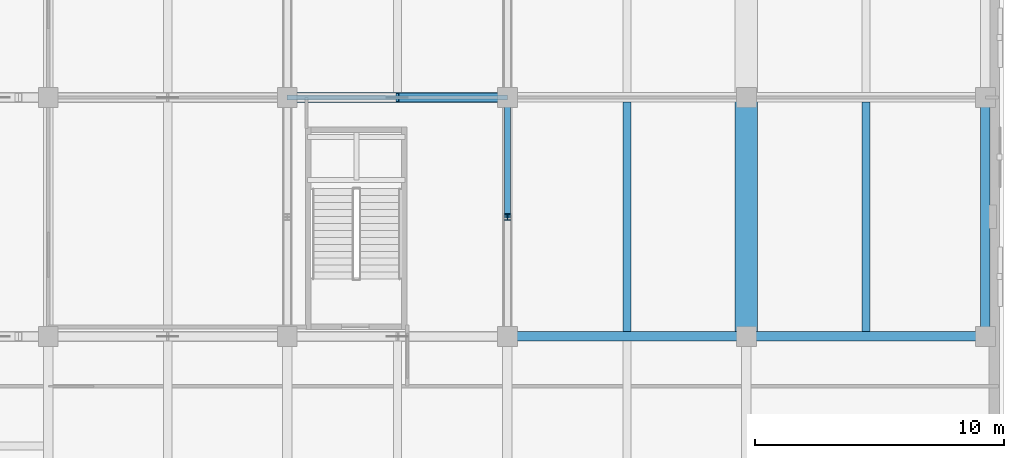
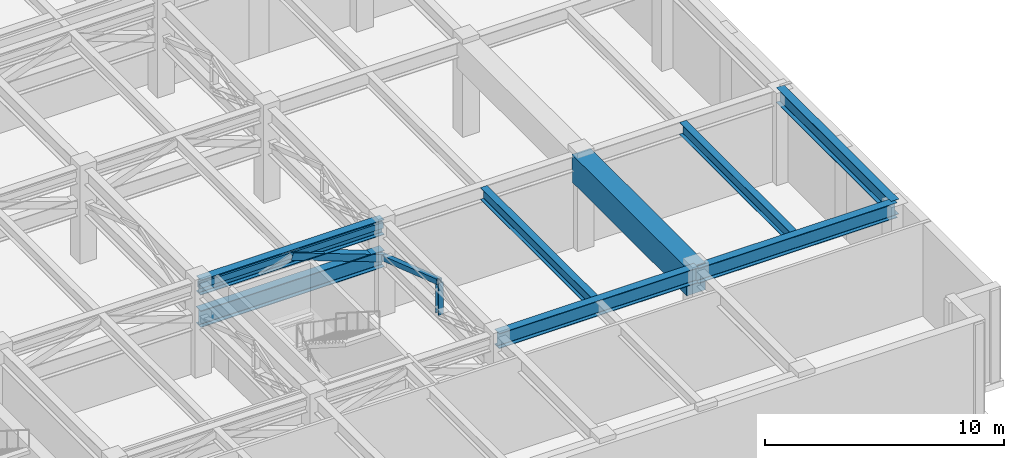
# One storey, part 4 of 19: 8 beams, 4 members.
"""IFC4 building model written with IfcOpenShell, lengths in metres."""

from ifc_helpers import new_model, si_unit, direction, frame, origin, origin_2d, place, context, subcontext, project, spatial, rectangle, hollow_rectangle, i_section, extrude, material, material_profile, profile_set, type_object, element, save


model = new_model("IFC4")

# Units and contexts
model_context = context("Model", 3, precision=1e-05, world=origin(), true_north=direction((0.0, 1.0)))
body_context = subcontext(model_context, "Body", "Model", "MODEL_VIEW")
ifc_project = project(units=[si_unit("LENGTHUNIT", "METRE"), si_unit("AREAUNIT", "SQUARE_METRE"), si_unit("VOLUMEUNIT", "CUBIC_METRE"), si_unit("PLANEANGLEUNIT", "RADIAN"), si_unit("MASSUNIT", "GRAM", prefix="KILO")], contexts=[model_context])

# Site, building, storey
site_placement = place(None, origin())
site = spatial("IfcSite", under=ifc_project, at=site_placement, CompositionType="ELEMENT")
building_placement = place(site_placement, origin())
building = spatial("IfcBuilding", under=site, at=building_placement, Name="Norrvale University Quadrangle", CompositionType="ELEMENT")
storey_placement = place(building_placement, frame((0.0, 0.0, 256.0)))
storey = spatial("IfcBuildingStorey", under=building, at=storey_placement, Name="L65", CompositionType="ELEMENT", Elevation=256.0)

# Beams
ifc_material_1 = material(Name="Steel 350W", Category="steel")
ifc_material_profile_1 = material_profile(ifc_material_1, i_section(OverallWidth=0.324951171875, OverallDepth=0.615966796875, WebThickness=0.013916015625, FlangeThickness=0.021484375, FilletRadius=0.01611328125, at=origin_2d()), Name="Steel 350W")
ifc_profile_set_1 = profile_set([ifc_material_profile_1], Name="Steel 350W")
beam_type_1 = type_object("IfcBeamType", Name="Beam Belt W610x174", PredefinedType="BEAM", material=ifc_profile_set_1)
for number, where, z_axis, x_axis, name in (
    (1, (42.449951171875, 9.79052734375, 4.431884765625), (0.0, 1.0, 0.0), (-1.0, 0.0, 0.0), "Beam Belt W610x174 BM-L65-J068"),
    (2, (52.050048828125, 9.79052734375, 4.39208984375), (0.0, 1.0, 0.0), (-1.0, 0.0, 0.0), "Beam Belt W610x174 BM-L65-J071"),
):
    element("IfcBeam", number, at=place(storey_placement, frame(where, z_axis=z_axis, x_axis=x_axis)), inside=storey, type_object=beam_type_1, Name=name, PredefinedType="BEAM", context=body_context, shape_type="SweptSolid", body=[
        extrude(i_section(OverallWidth=0.324951171875, OverallDepth=0.615966796875, WebThickness=0.013916015625, FlangeThickness=0.021484375, FilletRadius=0.01611328125, at=origin_2d()), origin(), (0.0, 0.0, 1.0), 9.218994140625),
    ])
ifc_material_profile_2 = material_profile(ifc_material_1, i_section(OverallWidth=0.381103515625, OverallDepth=0.77294921875, WebThickness=0.0166015625, FlangeThickness=0.027587890625, FilletRadius=0.02001953125, at=origin_2d()), Name="Steel 350W")
ifc_profile_set_2 = profile_set([ifc_material_profile_2], Name="Steel 350W")
beam_type_2 = type_object("IfcBeamType", Name="Beam Outrig W760x257", PredefinedType="BEAM", material=ifc_profile_set_2)
for number, where, z_axis, x_axis, name in (
    (3, (37.64990234375, 9.60009765625, 4.353515625), (1.0, 0.0, 0.0), (0.0, 1.0, 0.0), "Beam Outrig W760x257 BM-L65-GX007"),
    (4, (47.25, 9.60009765625, 4.3134765625), (1.0, 0.0, 0.0), (0.0, 1.0, 0.0), "Beam Outrig W760x257 BM-L65-GX008"),
):
    element("IfcBeam", number, at=place(storey_placement, frame(where, z_axis=z_axis, x_axis=x_axis)), inside=storey, type_object=beam_type_2, Name=name, PredefinedType="BEAM", context=body_context, shape_type="SweptSolid", body=[
        extrude(i_section(OverallWidth=0.381103515625, OverallDepth=0.77294921875, WebThickness=0.0166015625, FlangeThickness=0.027587890625, FilletRadius=0.02001953125, at=origin_2d()), origin(), (0.0, 0.0, 1.0), 9.60009765625),
    ])
beam_1_placement = place(storey_placement, frame((28.800048828125, 19.199951171875, 4.353515625), z_axis=(1.0, 0.0, 0.0), x_axis=(0.0, 1.0, 0.0)))
element("IfcBeam", 5, at=beam_1_placement, inside=storey, type_object=beam_type_2, Name="Beam Outrig W760x257 BM-L65-GX010", PredefinedType="BEAM", context=body_context, shape_type="SweptSolid", body=[
    extrude(i_section(OverallWidth=0.381103515625, OverallDepth=0.77294921875, WebThickness=0.0166015625, FlangeThickness=0.027587890625, FilletRadius=0.02001953125, at=origin_2d()), origin(), (0.0, 0.0, 1.0), 8.849853515625),
])
beam_2_placement = place(storey_placement, frame((56.85009765625, 9.60009765625, 4.3134765625), z_axis=(0.0, 1.0, 0.0), x_axis=(-1.0, 0.0, 0.0)))
element("IfcBeam", 6, at=beam_2_placement, inside=storey, type_object=beam_type_2, Name="Beam Outrig W760x257 BM-L65-GY045", PredefinedType="BEAM", context=body_context, shape_type="SweptSolid", body=[
    extrude(i_section(OverallWidth=0.381103515625, OverallDepth=0.77294921875, WebThickness=0.0166015625, FlangeThickness=0.027587890625, FilletRadius=0.02001953125, at=origin_2d()), origin(), (0.0, 0.0, 1.0), 9.599853515625),
])
ifc_material_profile_3 = material_profile(ifc_material_1, i_section(OverallWidth=0.39990234375, OverallDepth=0.85498046875, WebThickness=0.018310546875, FlangeThickness=0.029296875, FilletRadius=0.02197265625, at=origin_2d()), Name="Steel 350W")
ifc_profile_set_3 = profile_set([ifc_material_profile_3], Name="Steel 350W")
beam_type_3 = type_object("IfcBeamType", Name="Beam Outrig W840x299", PredefinedType="BEAM", material=ifc_profile_set_3)
beam_3_placement = place(storey_placement, frame((28.800048828125, 19.199951171875, 2.75), z_axis=(1.0, 0.0, 0.0), x_axis=(0.0, 1.0, 0.0)))
element("IfcBeam", 7, at=beam_3_placement, inside=storey, type_object=beam_type_3, Name="Outrigger Bottom Chord L65-2.3", PredefinedType="BEAM", context=body_context, shape_type="SweptSolid", body=[
    extrude(i_section(OverallWidth=0.39990234375, OverallDepth=0.85498046875, WebThickness=0.018310546875, FlangeThickness=0.029296875, FilletRadius=0.02197265625, at=origin_2d()), origin(), (0.0, 0.0, 1.0), 8.849853515625),
])
ifc_material_2 = material(Name="Concrete C60/75", Category="concrete")
ifc_material_profile_4 = material_profile(ifc_material_2, rectangle(XDim=0.89990234375, YDim=1.39990234375, at=origin_2d()), Name="Concrete C60/75")
ifc_profile_set_4 = profile_set([ifc_material_profile_4], Name="Concrete C60/75")
beam_type_4 = type_object("IfcBeamType", Name="Beam Transfer 900x1400", PredefinedType="USERDEFINED", material=ifc_profile_set_4)
beam_4_placement = place(storey_placement, frame((47.25, 9.60009765625, 4.0400390625), z_axis=(0.0, 1.0, 0.0), x_axis=(-1.0, 0.0, 0.0)))
element("IfcBeam", 8, at=beam_4_placement, inside=storey, type_object=beam_type_4, Name="Setback Transfer Girder L65-23", ObjectType="TRANSFER GIRDER", PredefinedType="USERDEFINED", context=body_context, shape_type="SweptSolid", body=[
    extrude(rectangle(XDim=0.89990234375, YDim=1.39990234375, at=origin_2d()), origin(), (0.0, 0.0, 1.0), 9.599853515625),
])

# Members
ifc_material_profile_5 = material_profile(ifc_material_1, hollow_rectangle(XDim=0.25390625, YDim=0.25390625, WallThickness=0.012939453125, at=origin_2d()), Name="Steel 350W")
ifc_profile_set_5 = profile_set([ifc_material_profile_5], Name="Steel 350W")
member_type_1 = type_object("IfcMemberType", Name="Member Belt Diag HSS254", PredefinedType="BRACE", material=ifc_profile_set_5)
member_1_placement = place(storey_placement, frame((37.64990234375, 19.199951171875, 2.75), z_axis=(0.0, -0.946298508087, 0.32329419047), x_axis=(1.0, 0.0, 0.0)))
element("IfcMember", 9, at=member_1_placement, inside=storey, type_object=member_type_1, Name="Belt Truss Brace L65-01B", PredefinedType="BRACE", context=body_context, shape_type="SweptSolid", body=[
    extrude(hollow_rectangle(XDim=0.25390625, YDim=0.25390625, WallThickness=0.012939453125, at=origin_2d()), origin(), (0.0, 0.0, 1.0), 5.072509765625),
])
ifc_material_profile_6 = material_profile(ifc_material_1, hollow_rectangle(XDim=0.202880859375, YDim=0.304931640625, WallThickness=0.012939453125, at=origin_2d()), Name="Steel 350W")
ifc_profile_set_6 = profile_set([ifc_material_profile_6], Name="Steel 350W")
member_type_2 = type_object("IfcMemberType", Name="Member Chord HSS305x203", PredefinedType="CHORD", material=ifc_profile_set_6)
member_2_placement = place(storey_placement, frame((28.800048828125, 19.199951171875, 4.389892578125), z_axis=(1.0, 0.0, 0.0), x_axis=(0.0, 1.0, 0.0)))
element("IfcMember", 10, at=member_2_placement, inside=storey, type_object=member_type_2, Name="Outrigger Top Chord L65-2.3", PredefinedType="CHORD", context=body_context, shape_type="SweptSolid", body=[
    extrude(hollow_rectangle(XDim=0.202880859375, YDim=0.304931640625, WallThickness=0.012939453125, at=origin_2d()), origin(), (0.0, 0.0, 1.0), 8.849853515625),
])
ifc_material_profile_7 = material_profile(ifc_material_1, hollow_rectangle(XDim=0.35595703125, YDim=0.35595703125, WallThickness=0.01611328125, at=origin_2d()), Name="Steel 350W")
ifc_profile_set_7 = profile_set([ifc_material_profile_7], Name="Steel 350W")
member_type_3 = type_object("IfcMemberType", Name="Member Outrig Diag HSS356", PredefinedType="BRACE", material=ifc_profile_set_7)
member_3_placement = place(storey_placement, frame((37.64990234375, 19.199951171875, 2.75), z_axis=(-0.937674473211, 0.0, 0.347514866285), x_axis=(0.0, -1.0, 0.0)))
element("IfcMember", 11, at=member_3_placement, inside=storey, type_object=member_type_3, Name="Outrigger Truss Diagonal L65-2.3B", PredefinedType="BRACE", context=body_context, shape_type="SweptSolid", body=[
    extrude(hollow_rectangle(XDim=0.35595703125, YDim=0.35595703125, WallThickness=0.01611328125, at=origin_2d()), origin(), (0.0, 0.0, 1.0), 4.718994140625),
])
ifc_material_profile_8 = material_profile(ifc_material_1, i_section(OverallWidth=0.25390625, OverallDepth=0.2529296875, WebThickness=0.008544921875, FlangeThickness=0.01416015625, FilletRadius=0.011962890625, at=origin_2d()), Name="Steel 350W")
ifc_profile_set_8 = profile_set([ifc_material_profile_8], Name="Steel 350W")
member_type_4 = type_object("IfcMemberType", Name="Member Post W250x73", PredefinedType="POST", material=ifc_profile_set_8)
member_4_placement = place(storey_placement, frame((37.64990234375, 14.39990234375, 2.75), z_axis=(0.0, 0.0, 1.0), x_axis=(1.0, 0.0, 0.0)))
element("IfcMember", 12, at=member_4_placement, inside=storey, type_object=member_type_4, Name="Belt Truss Post L65-01", PredefinedType="POST", context=body_context, shape_type="SweptSolid", body=[
    extrude(i_section(OverallWidth=0.25390625, OverallDepth=0.2529296875, WebThickness=0.008544921875, FlangeThickness=0.01416015625, FilletRadius=0.011962890625, at=origin_2d()), origin(), (0.0, 0.0, 1.0), 1.639892578125),
])

save(model, "model.ifc")
